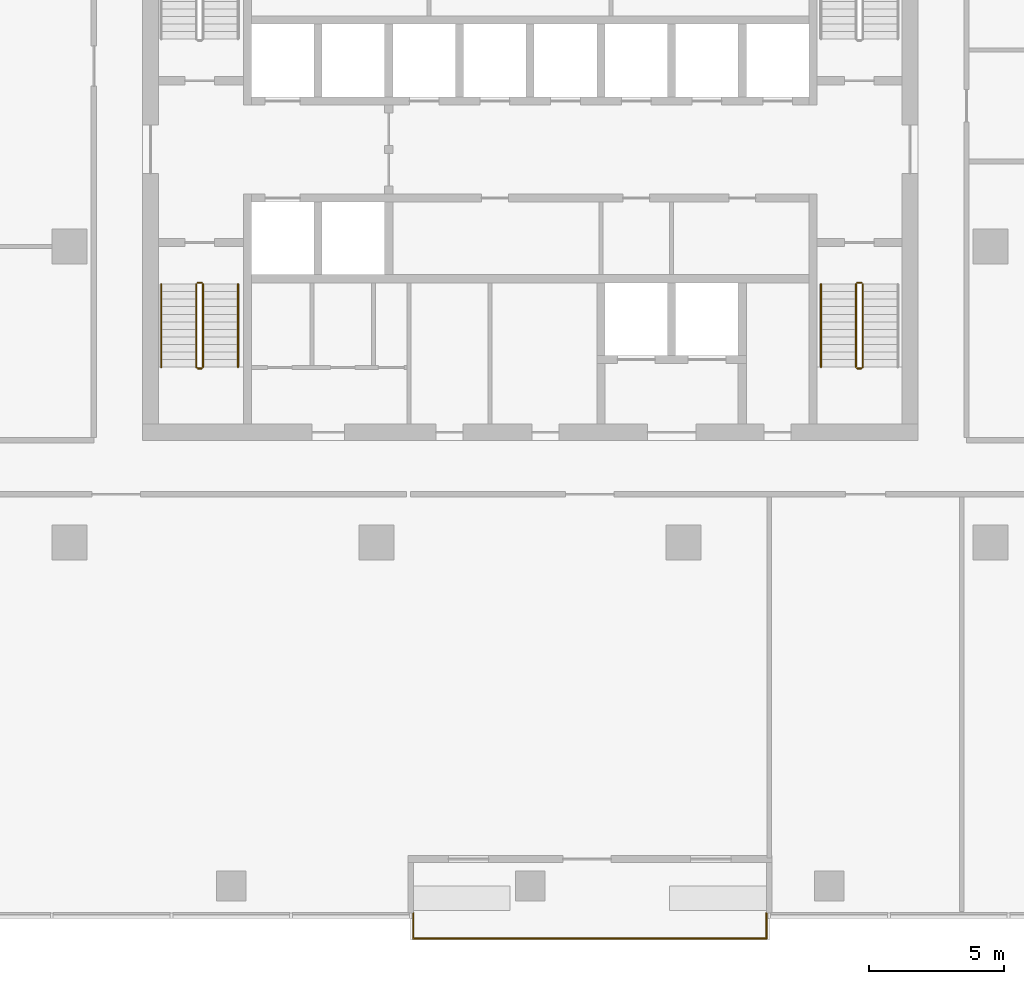
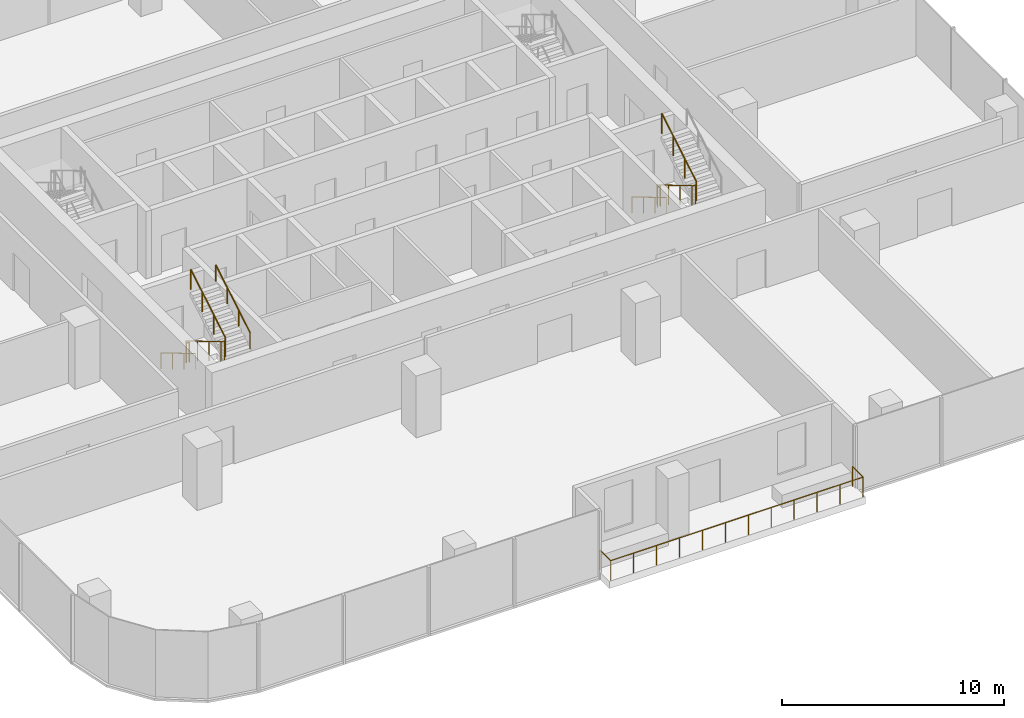
# One storey, part 11 of 14: 10 railings.
"""IFC4 building model written with IfcOpenShell, lengths in metres."""

from ifc_helpers import new_model, si_unit, direction, frame, origin, origin_2d, place, context, subcontext, project, spatial, circle, extrude, material, type_object, element, save


model = new_model("IFC4")

# Units and contexts
model_context = context("Model", 3, precision=1e-05, world=origin(), true_north=direction((0.0, 1.0)))
body_context = subcontext(model_context, "Body", "Model", "MODEL_VIEW")
ifc_project = project(units=[si_unit("LENGTHUNIT", "METRE"), si_unit("AREAUNIT", "SQUARE_METRE"), si_unit("VOLUMEUNIT", "CUBIC_METRE"), si_unit("PLANEANGLEUNIT", "RADIAN"), si_unit("MASSUNIT", "GRAM", prefix="KILO")], contexts=[model_context])

# Site, building, storey
site_placement = place(None, origin())
site = spatial("IfcSite", under=ifc_project, at=site_placement, CompositionType="ELEMENT")
building_placement = place(site_placement, origin())
building = spatial("IfcBuilding", under=site, at=building_placement, Name="Mopane Tessera Tower", CompositionType="ELEMENT")
storey_placement = place(building_placement, frame((0.0, 0.0, 255.0)))
storey = spatial("IfcBuildingStorey", under=building, at=storey_placement, Name="L55", CompositionType="ELEMENT", Elevation=255.0)

# Railings
ifc_material_1 = material(Name="Powder-coated steel balustrade", Category="steel")
railing_type_1 = type_object("IfcRailingType", Name="Escape stair guard 1100 mm", PredefinedType="GUARDRAIL", material=ifc_material_1)
railing_1_placement = place(storey_placement, frame((-12.39990234375, -1.39990234375, 0.166748046875)))
element("IfcRailing", 1, at=railing_1_placement, inside=storey, type_object=railing_type_1, Name="L55 ST1 stair guard 1", PredefinedType="GUARDRAIL", context=body_context, shape_type="SweptSolid", body=[
    extrude(circle(Radius=0.02392578125, at=origin_2d()), frame((0.0, 0.0, 1.076171875), z_axis=(0.0, -0.859308565015, 0.511457515432), x_axis=(1.0, 0.0, 0.0)), (0.0, 0.0, 1.0), 3.58447265625),
    extrude(circle(Radius=0.02392578125, at=origin_2d()), frame((0.0, -3.080078125, 2.9091796875), z_axis=(0.705375805398, -0.708833529934, 0.0), x_axis=(0.708833529934, 0.705375805398, 0.0)), (0.0, 0.0, 1.0), 0.070556640625),
    extrude(circle(Radius=0.02392578125, at=origin_2d()), frame((0.0498046875, -3.130126953125, 2.9091796875), z_axis=(1.0, 0.0, 0.0), x_axis=(0.0, 1.0, 0.0)), (0.0, 0.0, 1.0), 0.150146484375),
    extrude(circle(Radius=0.02099609375, at=origin_2d()), origin(), (0.0, 0.0, 1.0), 1.052001953125),
    extrude(circle(Radius=0.02099609375, at=origin_2d()), frame((0.0, -1.026611328125, 0.611083984375)), (0.0, 0.0, 1.0), 1.052001953125),
    extrude(circle(Radius=0.02099609375, at=origin_2d()), frame((0.0, -2.053466796875, 1.22216796875)), (0.0, 0.0, 1.0), 1.052001953125),
    extrude(circle(Radius=0.02099609375, at=origin_2d()), frame((0.0, -3.080078125, 1.833251953125)), (0.0, 0.0, 1.0), 1.052001953125),
    extrude(circle(Radius=0.02099609375, at=origin_2d()), frame((0.0498046875, -3.130126953125, 1.833251953125)), (0.0, 0.0, 1.0), 1.052001953125),
    extrude(circle(Radius=0.02099609375, at=origin_2d()), frame((0.199951171875, -3.130126953125, 1.833251953125)), (0.0, 0.0, 1.0), 1.052001953125),
])
railing_2_placement = place(storey_placement, frame((-12.14990234375, -4.47998046875, 2.166748046875)))
element("IfcRailing", 2, at=railing_2_placement, inside=storey, type_object=railing_type_1, Name="L55 ST1 stair guard 2", PredefinedType="GUARDRAIL", context=body_context, shape_type="SweptSolid", body=[
    extrude(circle(Radius=0.02392578125, at=origin_2d()), frame((0.0, 0.0, 1.076171875), z_axis=(0.0, 0.859308565015, 0.511457515432), x_axis=(-1.0, 0.0, 0.0)), (0.0, 0.0, 1.0), 3.58447265625),
    extrude(circle(Radius=0.02099609375, at=origin_2d()), origin(), (0.0, 0.0, 1.0), 1.052001953125),
    extrude(circle(Radius=0.02099609375, at=origin_2d()), frame((0.0, 1.026611328125, 0.611083984375)), (0.0, 0.0, 1.0), 1.052001953125),
    extrude(circle(Radius=0.02099609375, at=origin_2d()), frame((0.0, 2.053466796875, 1.22216796875)), (0.0, 0.0, 1.0), 1.052001953125),
    extrude(circle(Radius=0.02099609375, at=origin_2d()), frame((0.0, 3.080078125, 1.833251953125)), (0.0, 0.0, 1.0), 1.052001953125),
])
railing_3_placement = place(storey_placement, frame((-12.35009765625, -1.35009765625, 0.0)))
element("IfcRailing", 3, at=railing_3_placement, inside=storey, type_object=railing_type_1, Name="L55 ST1 stair guard 3", PredefinedType="GUARDRAIL", context=body_context, shape_type="SweptSolid", body=[
    extrude(circle(Radius=0.02392578125, at=origin_2d()), frame((0.0, 0.0, 1.076171875), z_axis=(1.0, 0.0, 0.0), x_axis=(0.0, 1.0, 0.0)), (0.0, 0.0, 1.0), 0.150146484375),
    extrude(circle(Radius=0.02099609375, at=origin_2d()), origin(), (0.0, 0.0, 1.0), 1.052001953125),
    extrude(circle(Radius=0.02099609375, at=origin_2d()), frame((0.150146484375, 0.0, 0.0)), (0.0, 0.0, 1.0), 1.052001953125),
])
railing_4_placement = place(storey_placement, frame((12.10009765625, -1.39990234375, 0.166748046875)))
element("IfcRailing", 4, at=railing_4_placement, inside=storey, type_object=railing_type_1, Name="L55 ST3 stair guard 1", PredefinedType="GUARDRAIL", context=body_context, shape_type="SweptSolid", body=[
    extrude(circle(Radius=0.02392578125, at=origin_2d()), frame((0.0, 0.0, 1.076171875), z_axis=(0.0, -0.859308565015, 0.511457515432), x_axis=(1.0, 0.0, 0.0)), (0.0, 0.0, 1.0), 3.58447265625),
    extrude(circle(Radius=0.02392578125, at=origin_2d()), frame((0.0, -3.080078125, 2.9091796875), z_axis=(0.705375805398, -0.708833529934, 0.0), x_axis=(0.708833529934, 0.705375805398, 0.0)), (0.0, 0.0, 1.0), 0.070556640625),
    extrude(circle(Radius=0.02392578125, at=origin_2d()), frame((0.0498046875, -3.130126953125, 2.9091796875), z_axis=(1.0, 0.0, 0.0), x_axis=(0.0, 1.0, 0.0)), (0.0, 0.0, 1.0), 0.150146484375),
    extrude(circle(Radius=0.02099609375, at=origin_2d()), origin(), (0.0, 0.0, 1.0), 1.052001953125),
    extrude(circle(Radius=0.02099609375, at=origin_2d()), frame((0.0, -1.026611328125, 0.611083984375)), (0.0, 0.0, 1.0), 1.052001953125),
    extrude(circle(Radius=0.02099609375, at=origin_2d()), frame((0.0, -2.053466796875, 1.22216796875)), (0.0, 0.0, 1.0), 1.052001953125),
    extrude(circle(Radius=0.02099609375, at=origin_2d()), frame((0.0, -3.080078125, 1.833251953125)), (0.0, 0.0, 1.0), 1.052001953125),
    extrude(circle(Radius=0.02099609375, at=origin_2d()), frame((0.0498046875, -3.130126953125, 1.833251953125)), (0.0, 0.0, 1.0), 1.052001953125),
    extrude(circle(Radius=0.02099609375, at=origin_2d()), frame((0.199951171875, -3.130126953125, 1.833251953125)), (0.0, 0.0, 1.0), 1.052001953125),
])
railing_5_placement = place(storey_placement, frame((12.35009765625, -4.47998046875, 2.166748046875)))
element("IfcRailing", 5, at=railing_5_placement, inside=storey, type_object=railing_type_1, Name="L55 ST3 stair guard 2", PredefinedType="GUARDRAIL", context=body_context, shape_type="SweptSolid", body=[
    extrude(circle(Radius=0.02392578125, at=origin_2d()), frame((0.0, 0.0, 1.076171875), z_axis=(0.0, 0.859308565015, 0.511457515432), x_axis=(-1.0, 0.0, 0.0)), (0.0, 0.0, 1.0), 3.58447265625),
    extrude(circle(Radius=0.02099609375, at=origin_2d()), origin(), (0.0, 0.0, 1.0), 1.052001953125),
    extrude(circle(Radius=0.02099609375, at=origin_2d()), frame((0.0, 1.026611328125, 0.611083984375)), (0.0, 0.0, 1.0), 1.052001953125),
    extrude(circle(Radius=0.02099609375, at=origin_2d()), frame((0.0, 2.053466796875, 1.22216796875)), (0.0, 0.0, 1.0), 1.052001953125),
    extrude(circle(Radius=0.02099609375, at=origin_2d()), frame((0.0, 3.080078125, 1.833251953125)), (0.0, 0.0, 1.0), 1.052001953125),
])
railing_6_placement = place(storey_placement, frame((12.14990234375, -1.35009765625, 0.0)))
element("IfcRailing", 6, at=railing_6_placement, inside=storey, type_object=railing_type_1, Name="L55 ST3 stair guard 3", PredefinedType="GUARDRAIL", context=body_context, shape_type="SweptSolid", body=[
    extrude(circle(Radius=0.02392578125, at=origin_2d()), frame((0.0, 0.0, 1.076171875), z_axis=(1.0, 0.0, 0.0), x_axis=(0.0, 1.0, 0.0)), (0.0, 0.0, 1.0), 0.150146484375),
    extrude(circle(Radius=0.02099609375, at=origin_2d()), origin(), (0.0, 0.0, 1.0), 1.052001953125),
    extrude(circle(Radius=0.02099609375, at=origin_2d()), frame((0.150146484375, 0.0, 0.0)), (0.0, 0.0, 1.0), 1.052001953125),
])
ifc_material_2 = material(Name="Powder-coated steel balustrade", Category="steel")
railing_type_2 = type_object("IfcRailingType", Name="Escape stair handrail 900 mm", PredefinedType="HANDRAIL", material=ifc_material_2)
railing_7_placement = place(storey_placement, frame((-13.699951171875, -1.39990234375, 0.166748046875)))
element("IfcRailing", 7, at=railing_7_placement, inside=storey, type_object=railing_type_2, Name="L55 ST1 stair handrail 1", PredefinedType="HANDRAIL", context=body_context, shape_type="SweptSolid", body=[
    extrude(circle(Radius=0.02392578125, at=origin_2d()), frame((0.0, 0.0, 0.8759765625), z_axis=(0.0, -0.859308565015, 0.511457515432), x_axis=(1.0, 0.0, 0.0)), (0.0, 0.0, 1.0), 3.58447265625),
    extrude(circle(Radius=0.02099609375, at=origin_2d()), origin(), (0.0, 0.0, 1.0), 0.851806640625),
    extrude(circle(Radius=0.02099609375, at=origin_2d()), frame((0.0, -1.026611328125, 0.611083984375)), (0.0, 0.0, 1.0), 0.851806640625),
    extrude(circle(Radius=0.02099609375, at=origin_2d()), frame((0.0, -2.053466796875, 1.22216796875)), (0.0, 0.0, 1.0), 0.851806640625),
    extrude(circle(Radius=0.02099609375, at=origin_2d()), frame((0.0, -3.080078125, 1.833251953125)), (0.0, 0.0, 1.0), 0.851806640625),
])
railing_8_placement = place(storey_placement, frame((-10.85009765625, -4.47998046875, 2.166748046875)))
element("IfcRailing", 8, at=railing_8_placement, inside=storey, type_object=railing_type_2, Name="L55 ST1 stair handrail 2", PredefinedType="HANDRAIL", context=body_context, shape_type="SweptSolid", body=[
    extrude(circle(Radius=0.02392578125, at=origin_2d()), frame((0.0, 0.0, 0.8759765625), z_axis=(0.0, 0.859308565015, 0.511457515432), x_axis=(-1.0, 0.0, 0.0)), (0.0, 0.0, 1.0), 3.58447265625),
    extrude(circle(Radius=0.02099609375, at=origin_2d()), origin(), (0.0, 0.0, 1.0), 0.851806640625),
    extrude(circle(Radius=0.02099609375, at=origin_2d()), frame((0.0, 1.026611328125, 0.611083984375)), (0.0, 0.0, 1.0), 0.851806640625),
    extrude(circle(Radius=0.02099609375, at=origin_2d()), frame((0.0, 2.053466796875, 1.22216796875)), (0.0, 0.0, 1.0), 0.851806640625),
    extrude(circle(Radius=0.02099609375, at=origin_2d()), frame((0.0, 3.080078125, 1.833251953125)), (0.0, 0.0, 1.0), 0.851806640625),
])
railing_9_placement = place(storey_placement, frame((10.800048828125, -1.39990234375, 0.166748046875)))
element("IfcRailing", 9, at=railing_9_placement, inside=storey, type_object=railing_type_2, Name="L55 ST3 stair handrail 1", PredefinedType="HANDRAIL", context=body_context, shape_type="SweptSolid", body=[
    extrude(circle(Radius=0.02392578125, at=origin_2d()), frame((0.0, 0.0, 0.8759765625), z_axis=(0.0, -0.859308565015, 0.511457515432), x_axis=(1.0, 0.0, 0.0)), (0.0, 0.0, 1.0), 3.58447265625),
    extrude(circle(Radius=0.02099609375, at=origin_2d()), origin(), (0.0, 0.0, 1.0), 0.851806640625),
    extrude(circle(Radius=0.02099609375, at=origin_2d()), frame((0.0, -1.026611328125, 0.611083984375)), (0.0, 0.0, 1.0), 0.851806640625),
    extrude(circle(Radius=0.02099609375, at=origin_2d()), frame((0.0, -2.053466796875, 1.22216796875)), (0.0, 0.0, 1.0), 0.851806640625),
    extrude(circle(Radius=0.02099609375, at=origin_2d()), frame((0.0, -3.080078125, 1.833251953125)), (0.0, 0.0, 1.0), 0.851806640625),
])
ifc_material_3 = material(Name="Stainless steel S316", Category="steel")
railing_type_3 = type_object("IfcRailingType", Name="Terrace guard 1100", PredefinedType="GUARDRAIL", material=ifc_material_3)
railing_10_placement = place(storey_placement, frame((-4.340087890625, -24.75, 0.0)))
element("IfcRailing", 10, at=railing_10_placement, inside=storey, type_object=railing_type_3, Name="e:nw:L55:N1:guard", PredefinedType="GUARDRAIL", context=body_context, shape_type="SweptSolid", body=[
    extrude(circle(Radius=0.02392578125, at=origin_2d()), frame((0.0, 0.0, 1.076171875), z_axis=(0.0, -1.0, 0.0), x_axis=(1.0, 0.0, 0.0)), (0.0, 0.0, 1.0), 0.949951171875),
    extrude(circle(Radius=0.02392578125, at=origin_2d()), frame((0.0, -0.949951171875, 1.076171875), z_axis=(1.0, 0.0, 0.0), x_axis=(0.0, 1.0, 0.0)), (0.0, 0.0, 1.0), 13.1201171875),
    extrude(circle(Radius=0.02392578125, at=origin_2d()), frame((13.1201171875, -0.949951171875, 1.076171875), z_axis=(0.0, 1.0, 0.0), x_axis=(-1.0, 0.0, 0.0)), (0.0, 0.0, 1.0), 0.949951171875),
    extrude(circle(Radius=0.02099609375, at=origin_2d()), origin(), (0.0, 0.0, 1.0), 1.052001953125),
    extrude(circle(Radius=0.02099609375, at=origin_2d()), frame((0.0, -0.949951171875, 0.0)), (0.0, 0.0, 1.0), 1.052001953125),
    extrude(circle(Radius=0.02099609375, at=origin_2d()), frame((1.192626953125, -0.949951171875, 0.0)), (0.0, 0.0, 1.0), 1.052001953125),
    extrude(circle(Radius=0.02099609375, at=origin_2d()), frame((2.385498046875, -0.949951171875, 0.0)), (0.0, 0.0, 1.0), 1.052001953125),
    extrude(circle(Radius=0.02099609375, at=origin_2d()), frame((3.578125, -0.949951171875, 0.0)), (0.0, 0.0, 1.0), 1.052001953125),
    extrude(circle(Radius=0.02099609375, at=origin_2d()), frame((4.77099609375, -0.949951171875, 0.0)), (0.0, 0.0, 1.0), 1.052001953125),
    extrude(circle(Radius=0.02099609375, at=origin_2d()), frame((5.963623046875, -0.949951171875, 0.0)), (0.0, 0.0, 1.0), 1.052001953125),
    extrude(circle(Radius=0.02099609375, at=origin_2d()), frame((7.156494140625, -0.949951171875, 0.0)), (0.0, 0.0, 1.0), 1.052001953125),
    extrude(circle(Radius=0.02099609375, at=origin_2d()), frame((8.34912109375, -0.949951171875, 0.0)), (0.0, 0.0, 1.0), 1.052001953125),
    extrude(circle(Radius=0.02099609375, at=origin_2d()), frame((9.5419921875, -0.949951171875, 0.0)), (0.0, 0.0, 1.0), 1.052001953125),
    extrude(circle(Radius=0.02099609375, at=origin_2d()), frame((10.734619140625, -0.949951171875, 0.0)), (0.0, 0.0, 1.0), 1.052001953125),
    extrude(circle(Radius=0.02099609375, at=origin_2d()), frame((11.927490234375, -0.949951171875, 0.0)), (0.0, 0.0, 1.0), 1.052001953125),
    extrude(circle(Radius=0.02099609375, at=origin_2d()), frame((13.1201171875, -0.949951171875, 0.0)), (0.0, 0.0, 1.0), 1.052001953125),
    extrude(circle(Radius=0.02099609375, at=origin_2d()), frame((13.1201171875, 0.0, 0.0)), (0.0, 0.0, 1.0), 1.052001953125),
])

save(model, "model.ifc")
